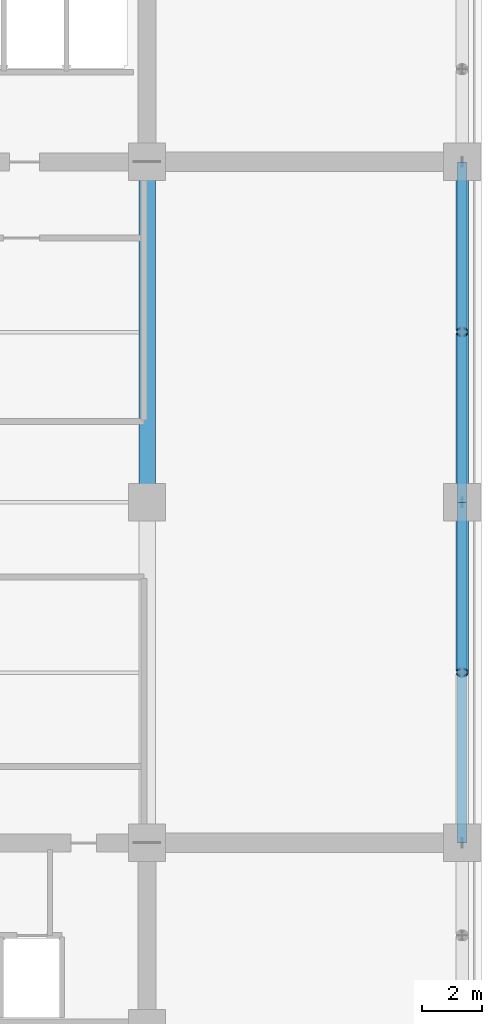
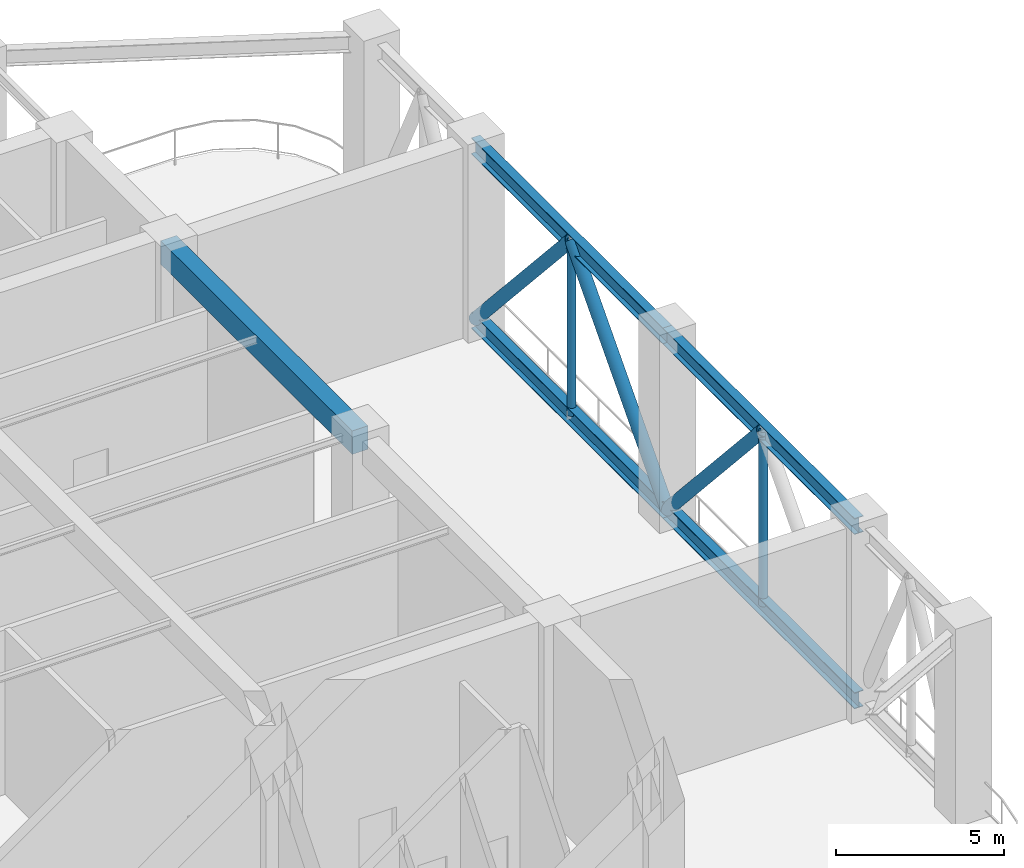
# One storey, part 7 of 20: 5 beams, 5 members.
"""IFC4 building model written with IfcOpenShell, lengths in metres."""

from ifc_helpers import new_model, si_unit, direction, frame, origin, origin_2d, place, context, subcontext, project, spatial, rectangle, hollow_circle, i_section, extrude, material, material_profile, profile_set, type_object, element, save


model = new_model("IFC4")

# Units and contexts
model_context = context("Model", 3, precision=1e-05, world=origin(), true_north=direction((0.0, 1.0)))
body_context = subcontext(model_context, "Body", "Model", "MODEL_VIEW")
ifc_project = project(units=[si_unit("LENGTHUNIT", "METRE"), si_unit("AREAUNIT", "SQUARE_METRE"), si_unit("VOLUMEUNIT", "CUBIC_METRE"), si_unit("PLANEANGLEUNIT", "RADIAN"), si_unit("MASSUNIT", "GRAM", prefix="KILO")], contexts=[model_context])

# Site, building, storey
site_placement = place(None, origin())
site = spatial("IfcSite", under=ifc_project, at=site_placement, CompositionType="ELEMENT")
building_placement = place(site_placement, origin())
building = spatial("IfcBuilding", under=site, at=building_placement, Name="Svetorya Sky Lyceum", CompositionType="ELEMENT")
storey_placement = place(building_placement, frame((0.0, 0.0, 76.89990234375)))
storey = spatial("IfcBuildingStorey", under=building, at=storey_placement, Name="L19", CompositionType="ELEMENT", Elevation=76.89990234375)

# Beams
ifc_material_1 = material(Name="Concrete C50/60", Category="concrete")
ifc_material_profile_1 = material_profile(ifc_material_1, rectangle(XDim=0.550048828125, YDim=0.85009765625, at=origin_2d()), Name="RC BEAM 550x850")
ifc_profile_set_1 = profile_set([ifc_material_profile_1], Name="Concrete C50/60")
beam_type_1 = type_object("IfcBeamType", Name="BM-RC-850", PredefinedType="BEAM", material=ifc_profile_set_1)
beam_placement = place(storey_placement, frame((52.800048828125, 28.199951171875, 6.4951171875), z_axis=(0.0, 1.0, 0.0), x_axis=(-1.0, 0.0, 0.0)))
element("IfcBeam", 1, at=beam_placement, inside=storey, type_object=beam_type_1, Name="L19 Central Bay Primary Girder CG-4B", PredefinedType="BEAM", context=body_context, shape_type="SweptSolid", body=[
    extrude(rectangle(XDim=0.550048828125, YDim=0.85009765625, at=origin_2d()), origin(), (0.0, 0.0, 1.0), 11.400146484375),
])
ifc_material_2 = material(Name="Steel S355", Category="steel")
ifc_material_profile_2 = material_profile(ifc_material_2, i_section(OverallWidth=0.304931640625, OverallDepth=0.590087890625, WebThickness=0.014892578125, FlangeThickness=0.02392578125, at=origin_2d()), Name="GOST 60Sh2")
ifc_profile_set_2 = profile_set([ifc_material_profile_2], Name="Steel S355")
beam_type_2 = type_object("IfcBeamType", Name="BM-STL-60SH2", PredefinedType="BEAM", material=ifc_profile_set_2)
for number, where, z_axis, x_axis, name in (
    (2, (63.35009765625, 16.800048828125, 0.295166015625), (0.0, 1.0, 0.0), (-1.0, 0.0, 0.0), "L19 Belt Truss Bottom Chord E-2"),
    (3, (63.35009765625, 16.800048828125, 6.625), (0.0, 1.0, 0.0), (-1.0, 0.0, 0.0), "L19 Belt Truss Top Chord E-2"),
):
    element("IfcBeam", number, at=place(storey_placement, frame(where, z_axis=z_axis, x_axis=x_axis)), inside=storey, type_object=beam_type_2, Name=name, PredefinedType="BEAM", context=body_context, shape_type="SweptSolid", body=[
        extrude(i_section(OverallWidth=0.304931640625, OverallDepth=0.590087890625, WebThickness=0.014892578125, FlangeThickness=0.02392578125, at=origin_2d()), origin(), (0.0, 0.0, 1.0), 11.39990234375),
    ])
for number, where, z_axis, x_axis, name in (
    (4, (63.35009765625, 28.199951171875, 0.295166015625), (0.0, 1.0, 0.0), (-1.0, 0.0, 0.0), "L19 Belt Truss Bottom Chord E-3"),
    (5, (63.35009765625, 28.199951171875, 6.625), (0.0, 1.0, 0.0), (-1.0, 0.0, 0.0), "L19 Belt Truss Top Chord E-3"),
):
    element("IfcBeam", number, at=place(storey_placement, frame(where, z_axis=z_axis, x_axis=x_axis)), inside=storey, type_object=beam_type_2, Name=name, PredefinedType="BEAM", context=body_context, shape_type="SweptSolid", body=[
        extrude(i_section(OverallWidth=0.304931640625, OverallDepth=0.590087890625, WebThickness=0.014892578125, FlangeThickness=0.02392578125, at=origin_2d()), origin(), (0.0, 0.0, 1.0), 11.400146484375),
    ])

# Members
ifc_material_profile_3 = material_profile(ifc_material_2, hollow_circle(Radius=0.212890625, WallThickness=0.01806640625, at=origin_2d()), Name="CHS 426x18")
ifc_profile_set_3 = profile_set([ifc_material_profile_3], Name="Steel S355")
member_type_1 = type_object("IfcMemberType", Name="MB-BRC-CHS426", PredefinedType="BRACE", material=ifc_profile_set_3)
for number, where, z_axis, x_axis, name in (
    (6, (63.35009765625, 28.199951171875, 0.295166015625), (0.0, -0.669165814425, 0.743113122482), (1.0, 0.0, 0.0), "L19 Belt Truss Diagonal E-2B"),
    (7, (63.35009765625, 28.199951171875, 0.295166015625), (0.0, 0.669165814425, 0.743113122482), (-1.0, 0.0, 0.0), "L19 Belt Truss Diagonal E-3A"),
    (8, (63.35009765625, 39.60009765625, 0.295166015625), (0.0, -0.669181641477, 0.743098870077), (1.0, 0.0, 0.0), "L19 Belt Truss Diagonal E-3B"),
):
    element("IfcMember", number, at=place(storey_placement, frame(where, z_axis=z_axis, x_axis=x_axis)), inside=storey, type_object=member_type_1, Name=name, PredefinedType="BRACE", context=body_context, shape_type="SweptSolid", body=[
        extrude(hollow_circle(Radius=0.212890625, WallThickness=0.01806640625, at=origin_2d()), origin(), (0.0, 0.0, 1.0), 8.51806640625),
    ])
ifc_material_profile_4 = material_profile(ifc_material_2, hollow_circle(Radius=0.136474609375, WallThickness=0.011962890625, at=origin_2d()), Name="CHS 273x12")
ifc_profile_set_4 = profile_set([ifc_material_profile_4], Name="Steel S355")
member_type_2 = type_object("IfcMemberType", Name="MB-STR-CHS273", PredefinedType="STRUT", material=ifc_profile_set_4)
for number, where, z_axis, x_axis, name in (
    (9, (63.35009765625, 22.5, 0.295166015625), (0.0, 0.0, 1.0), (1.0, 0.0, 0.0), "L19 Belt Truss Post E-2"),
    (10, (63.35009765625, 33.89990234375, 0.295166015625), (0.0, 0.0, 1.0), (1.0, 0.0, 0.0), "L19 Belt Truss Post E-3"),
):
    element("IfcMember", number, at=place(storey_placement, frame(where, z_axis=z_axis, x_axis=x_axis)), inside=storey, type_object=member_type_2, Name=name, PredefinedType="STRUT", context=body_context, shape_type="SweptSolid", body=[
        extrude(hollow_circle(Radius=0.136474609375, WallThickness=0.011962890625, at=origin_2d()), origin(), (0.0, 0.0, 1.0), 6.329833984375),
    ])

save(model, "model.ifc")
